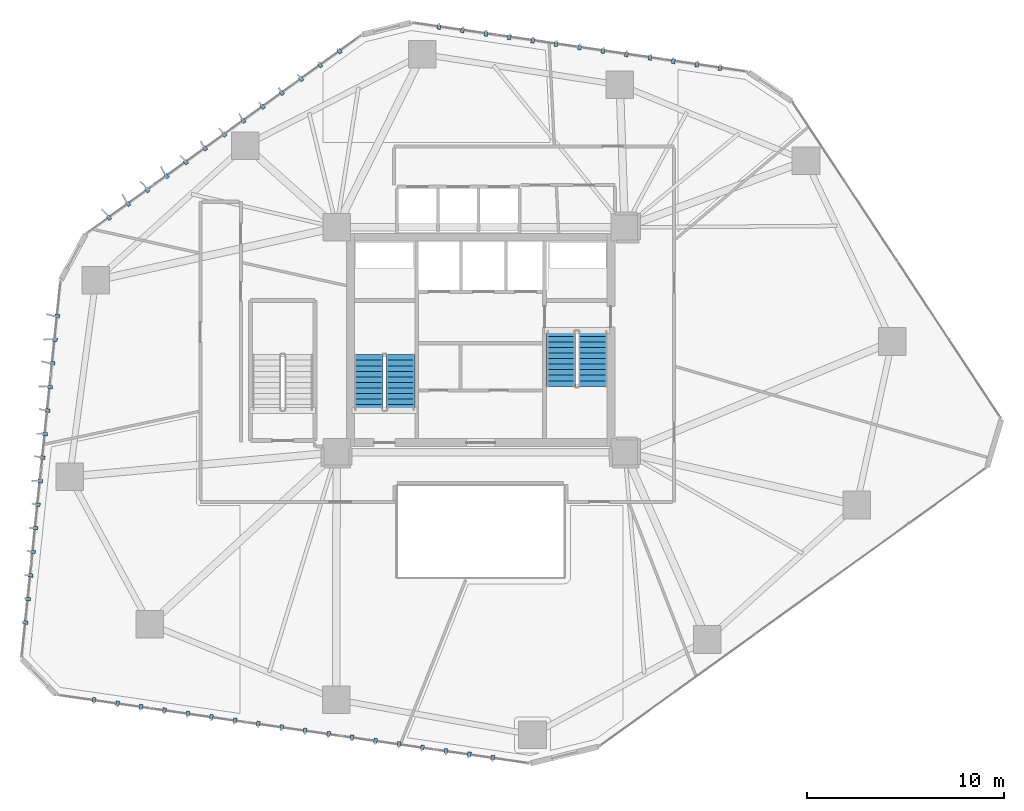
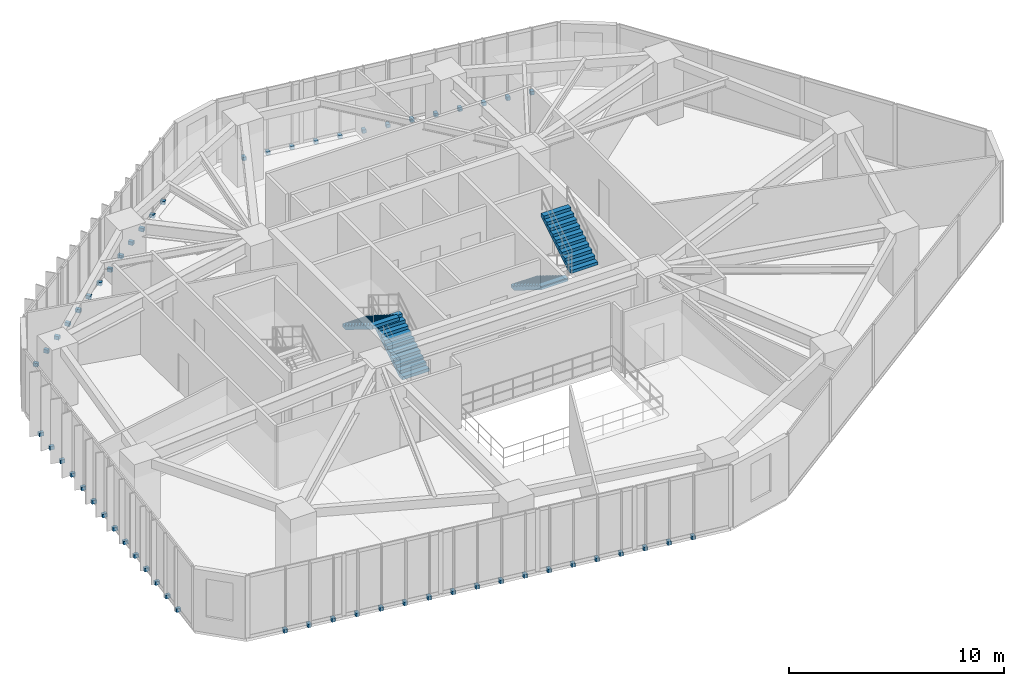
# One storey, part 20 of 22: 58 discrete accessories, 4 stair flights, 2 elements without a shape of their own.
"""IFC4 building model written with IfcOpenShell, lengths in metres."""

from ifc_helpers import new_model, si_unit, direction, frame, origin, origin_2d, place, context, subcontext, project, spatial, polyline, rectangle, outline, extrude, source, transform, mapped, material, layer, layer_set, type_object, type_shapes, element, aggregate, save


model = new_model("IFC4")

# Units and contexts
model_context = context("Model", 3, precision=1e-05, world=origin(), true_north=direction((0.0, 1.0)))
body_context = subcontext(model_context, "Body", "Model", "MODEL_VIEW")
ifc_project = project(units=[si_unit("LENGTHUNIT", "METRE"), si_unit("AREAUNIT", "SQUARE_METRE"), si_unit("VOLUMEUNIT", "CUBIC_METRE"), si_unit("PLANEANGLEUNIT", "RADIAN"), si_unit("MASSUNIT", "GRAM", prefix="KILO")], contexts=[model_context])

# Site, building, storey
site_placement = place(None, origin())
site = spatial("IfcSite", under=ifc_project, at=site_placement, CompositionType="ELEMENT")
building_placement = place(site_placement, origin())
building = spatial("IfcBuilding", under=site, at=building_placement, Name="Talar Marvaseh", CompositionType="ELEMENT")
storey_placement = place(building_placement, frame((0.0, 0.0, 65.800048828125)))
storey = spatial("IfcBuildingStorey", under=building, at=storey_placement, Name="L16", CompositionType="ELEMENT", Elevation=65.800048828125)

# Stair, stair flights
ifc_material_1 = material(Name="Concrete C40/50", Category="concrete")
stair_type = type_object("IfcStairType", Name="Reinforced Concrete Half-Turn Exit Stair Type B", PredefinedType="HALF_TURN_STAIR", material=ifc_material_1)
stair_1_placement = place(storey_placement, origin())
stair_1 = element("IfcStair", 1, at=stair_1_placement, inside=storey, type_object=stair_type, Name="L16 Tower West Core Exit Stair", PredefinedType="HALF_TURN_STAIR")
ifc_layer = layer(ifc_material_1, 0.159912109375)
ifc_layer_set = layer_set([ifc_layer], Name="Concrete C40/50")
stair_flight_type = type_object("IfcStairFlightType", Name="Reinforced Concrete Straight Stair Flight 160", PredefinedType="STRAIGHT", material=ifc_layer_set)
stair_flight_1_placement = place(storey_placement, frame((21.93505859375, 27.64990234375, 0.0), z_axis=(0.0, 0.0, 1.0), x_axis=(0.0, 1.0, 0.0)))
stair_flight_1 = element("IfcStairFlight", 2, at=stair_flight_1_placement, type_object=stair_flight_type, Name="ST-1 flight 1", NumberOfRisers=11, NumberOfTreads=10, PredefinedType="STRAIGHT", RiserHeight=0.172727273, TreadLength=0.28, context=body_context, shape_type="SweptSolid", body=[
    extrude(outline(polyline([(0.0, 0.0), (0.0, 0.172607421875), (0.280029296875, 0.172607421875), (0.280029296875, 0.345458984375), (0.56005859375, 0.345458984375), (0.56005859375, 0.51806640625), (0.840087890625, 0.51806640625), (0.840087890625, 0.69091796875), (1.1201171875, 0.69091796875), (1.1201171875, 0.863525390625), (1.39990234375, 0.863525390625), (1.39990234375, 1.036376953125), (1.679931640625, 1.036376953125), (1.679931640625, 1.208984375), (1.9599609375, 1.208984375), (1.9599609375, 1.3818359375), (2.239990234375, 1.3818359375), (2.239990234375, 1.554443359375), (2.52001953125, 1.554443359375), (2.52001953125, 1.727294921875), (2.800048828125, 1.727294921875), (2.800048828125, 1.89990234375), (2.800048828125, 1.539306640625), (0.3046875, 0.0), (0.0, 0.0)])), frame((0.0, 0.72509765625, 0.0), z_axis=(0.0, -1.0, 0.0), x_axis=(1.0, 0.0, 0.0)), (0.0, 0.0, 1.0), 1.449951171875),
])
stair_flight_2_placement = place(storey_placement, frame((20.324951171875, 30.449951171875, 1.89990234375), z_axis=(0.0, 0.0, 1.0), x_axis=(0.0, -1.0, 0.0)))
stair_flight_2 = element("IfcStairFlight", 3, at=stair_flight_2_placement, type_object=stair_flight_type, Name="ST-1 flight 2", NumberOfRisers=11, NumberOfTreads=10, PredefinedType="STRAIGHT", RiserHeight=0.172727273, TreadLength=0.28, context=body_context, shape_type="SweptSolid", body=[
    extrude(outline(polyline([(0.0, 0.0), (0.0, 0.172607421875), (0.280029296875, 0.172607421875), (0.280029296875, 0.345458984375), (0.56005859375, 0.345458984375), (0.56005859375, 0.51806640625), (0.840087890625, 0.51806640625), (0.840087890625, 0.69091796875), (1.1201171875, 0.69091796875), (1.1201171875, 0.863525390625), (1.39990234375, 0.863525390625), (1.39990234375, 1.036376953125), (1.679931640625, 1.036376953125), (1.679931640625, 1.208984375), (1.9599609375, 1.208984375), (1.9599609375, 1.3818359375), (2.239990234375, 1.3818359375), (2.239990234375, 1.554443359375), (2.52001953125, 1.554443359375), (2.52001953125, 1.727294921875), (2.800048828125, 1.727294921875), (2.800048828125, 1.89990234375), (2.800048828125, 1.539306640625), (0.3046875, 0.0), (0.0, 0.0)])), frame((0.0, 0.72509765625, 0.0), z_axis=(0.0, -1.0, 0.0), x_axis=(1.0, 0.0, 0.0)), (0.0, 0.0, 1.0), 1.449951171875),
])
aggregate(stair_1, [stair_flight_1, stair_flight_2])

stair_2_placement = place(storey_placement, origin())
stair_2 = element("IfcStair", 4, at=stair_2_placement, inside=storey, type_object=stair_type, Name="L16 Tower East Core Exit Stair", PredefinedType="HALF_TURN_STAIR")
stair_flight_3_placement = place(storey_placement, frame((30.06494140625, 31.64990234375, 0.0), z_axis=(0.0, 0.0, 1.0), x_axis=(0.0, -1.0, 0.0)))
stair_flight_3 = element("IfcStairFlight", 5, at=stair_flight_3_placement, type_object=stair_flight_type, Name="ST-2 flight 1", NumberOfRisers=11, NumberOfTreads=10, PredefinedType="STRAIGHT", RiserHeight=0.172727273, TreadLength=0.28, context=body_context, shape_type="SweptSolid", body=[
    extrude(outline(polyline([(0.0, 0.0), (0.0, 0.172607421875), (0.280029296875, 0.172607421875), (0.280029296875, 0.345458984375), (0.56005859375, 0.345458984375), (0.56005859375, 0.51806640625), (0.840087890625, 0.51806640625), (0.840087890625, 0.69091796875), (1.1201171875, 0.69091796875), (1.1201171875, 0.863525390625), (1.39990234375, 0.863525390625), (1.39990234375, 1.036376953125), (1.679931640625, 1.036376953125), (1.679931640625, 1.208984375), (1.9599609375, 1.208984375), (1.9599609375, 1.3818359375), (2.239990234375, 1.3818359375), (2.239990234375, 1.554443359375), (2.52001953125, 1.554443359375), (2.52001953125, 1.727294921875), (2.800048828125, 1.727294921875), (2.800048828125, 1.89990234375), (2.800048828125, 1.539306640625), (0.3046875, 0.0), (0.0, 0.0)])), frame((0.0, 0.72509765625, 0.0), z_axis=(0.0, -1.0, 0.0), x_axis=(1.0, 0.0, 0.0)), (0.0, 0.0, 1.0), 1.449951171875),
])
stair_flight_4_placement = place(storey_placement, frame((31.675048828125, 28.85009765625, 1.89990234375), z_axis=(0.0, 0.0, 1.0), x_axis=(0.0, 1.0, 0.0)))
stair_flight_4 = element("IfcStairFlight", 6, at=stair_flight_4_placement, type_object=stair_flight_type, Name="ST-2 flight 2", NumberOfRisers=11, NumberOfTreads=10, PredefinedType="STRAIGHT", RiserHeight=0.172727273, TreadLength=0.28, context=body_context, shape_type="SweptSolid", body=[
    extrude(outline(polyline([(0.0, 0.0), (0.0, 0.172607421875), (0.280029296875, 0.172607421875), (0.280029296875, 0.345458984375), (0.56005859375, 0.345458984375), (0.56005859375, 0.51806640625), (0.840087890625, 0.51806640625), (0.840087890625, 0.69091796875), (1.1201171875, 0.69091796875), (1.1201171875, 0.863525390625), (1.39990234375, 0.863525390625), (1.39990234375, 1.036376953125), (1.679931640625, 1.036376953125), (1.679931640625, 1.208984375), (1.9599609375, 1.208984375), (1.9599609375, 1.3818359375), (2.239990234375, 1.3818359375), (2.239990234375, 1.554443359375), (2.52001953125, 1.554443359375), (2.52001953125, 1.727294921875), (2.800048828125, 1.727294921875), (2.800048828125, 1.89990234375), (2.800048828125, 1.539306640625), (0.3046875, 0.0), (0.0, 0.0)])), frame((0.0, 0.72509765625, 0.0), z_axis=(0.0, -1.0, 0.0), x_axis=(1.0, 0.0, 0.0)), (0.0, 0.0, 1.0), 1.449951171875),
])
aggregate(stair_2, [stair_flight_3, stair_flight_4])

# Discrete accessories
ifc_material_2 = material(Name="Stainless Steel Grade 316", Category="steel")
discrete_accessory_type = type_object("IfcDiscreteAccessoryType", Name="Stainless Slab-Edge Fin Mounting Bracket", PredefinedType="BRACKET", material=ifc_material_2)
shared_shape = source(origin(), body_context, "Body", "SweptSolid", [
    extrude(rectangle(XDim=0.239990234375, YDim=0.179931640625, at=origin_2d()), origin(), (0.0, 0.0, 1.0), 0.199951171875),
])
type_shapes(discrete_accessory_type, [shared_shape])
for number, where, z_axis, x_axis, name in (
    (7, (2.951416015625, 16.88525390625, -0.18017578125), (0.0, 0.0, 1.0), (-0.994702817117, 0.102792536787, 0.0), "L16 Vertical Fin Slab-Edge Bracket"),
    (8, (3.07470703125, 18.0791015625, -0.18017578125), (0.0, 0.0, 1.0), (-0.994702817117, 0.102792536787, 0.0), "L16 Vertical Fin Slab-Edge Bracket"),
    (9, (3.1982421875, 19.272705078125, -0.18017578125), (0.0, 0.0, 1.0), (-0.994702817117, 0.102792536787, 0.0), "L16 Vertical Fin Slab-Edge Bracket"),
    (10, (3.32177734375, 20.46630859375, -0.18017578125), (0.0, 0.0, 1.0), (-0.994702817117, 0.102792536787, 0.0), "L16 Vertical Fin Slab-Edge Bracket"),
    (11, (3.445068359375, 21.659912109375, -0.18017578125), (0.0, 0.0, 1.0), (-0.994702817117, 0.102792536787, 0.0), "L16 Vertical Fin Slab-Edge Bracket"),
    (12, (3.568603515625, 22.853515625, -0.18017578125), (0.0, 0.0, 1.0), (-0.994702817117, 0.102792536787, 0.0), "L16 Vertical Fin Slab-Edge Bracket"),
    (13, (3.69189453125, 24.047119140625, -0.18017578125), (0.0, 0.0, 1.0), (-0.994702817117, 0.102792536787, 0.0), "L16 Vertical Fin Slab-Edge Bracket"),
    (14, (3.8154296875, 25.24072265625, -0.18017578125), (0.0, 0.0, 1.0), (-0.994702817117, 0.102792536787, 0.0), "L16 Vertical Fin Slab-Edge Bracket"),
    (15, (3.938720703125, 26.434326171875, -0.18017578125), (0.0, 0.0, 1.0), (-0.994702817117, 0.102792536787, 0.0), "L16 Vertical Fin Slab-Edge Bracket"),
    (16, (4.062255859375, 27.628173828125, -0.18017578125), (0.0, 0.0, 1.0), (-0.994702817117, 0.102792536787, 0.0), "L16 Vertical Fin Slab-Edge Bracket"),
    (17, (4.185791015625, 28.82177734375, -0.18017578125), (0.0, 0.0, 1.0), (-0.994702817117, 0.102792536787, 0.0), "L16 Vertical Fin Slab-Edge Bracket"),
    (18, (4.30908203125, 30.015380859375, -0.18017578125), (0.0, 0.0, 1.0), (-0.994702817117, 0.102792536787, 0.0), "L16 Vertical Fin Slab-Edge Bracket"),
    (19, (4.4326171875, 31.208984375, -0.18017578125), (0.0, 0.0, 1.0), (-0.994702817117, 0.102792536787, 0.0), "L16 Vertical Fin Slab-Edge Bracket"),
    (20, (4.555908203125, 32.402587890625, -0.18017578125), (0.0, 0.0, 1.0), (-0.994702817117, 0.102792536787, 0.0), "L16 Vertical Fin Slab-Edge Bracket"),
    (21, (7.172119140625, 37.390380859375, -0.18017578125), (0.0, 0.0, 1.0), (-0.585240754026, 0.810859580832, 0.0), "L16 Vertical Fin Slab-Edge Bracket"),
    (22, (8.14501953125, 38.092529296875, -0.18017578125), (0.0, 0.0, 1.0), (-0.585240754026, 0.810859580832, 0.0), "L16 Vertical Fin Slab-Edge Bracket"),
    (23, (9.1181640625, 38.794921875, -0.18017578125), (0.0, 0.0, 1.0), (-0.585240754026, 0.810859580832, 0.0), "L16 Vertical Fin Slab-Edge Bracket"),
    (24, (10.09130859375, 39.4970703125, -0.18017578125), (0.0, 0.0, 1.0), (-0.585240754026, 0.810859580832, 0.0), "L16 Vertical Fin Slab-Edge Bracket"),
    (25, (11.064208984375, 40.19921875, -0.18017578125), (0.0, 0.0, 1.0), (-0.585240754026, 0.810859580832, 0.0), "L16 Vertical Fin Slab-Edge Bracket"),
    (26, (12.037353515625, 40.901611328125, -0.18017578125), (0.0, 0.0, 1.0), (-0.585240754026, 0.810859580832, 0.0), "L16 Vertical Fin Slab-Edge Bracket"),
    (27, (13.010498046875, 41.603759765625, -0.18017578125), (0.0, 0.0, 1.0), (-0.585240754026, 0.810859580832, 0.0), "L16 Vertical Fin Slab-Edge Bracket"),
    (28, (13.9833984375, 42.30615234375, -0.18017578125), (0.0, 0.0, 1.0), (-0.585240754026, 0.810859580832, 0.0), "L16 Vertical Fin Slab-Edge Bracket"),
    (29, (14.95654296875, 43.00830078125, -0.18017578125), (0.0, 0.0, 1.0), (-0.585240754026, 0.810859580832, 0.0), "L16 Vertical Fin Slab-Edge Bracket"),
    (30, (15.9296875, 43.710693359375, -0.18017578125), (0.0, 0.0, 1.0), (-0.585240754026, 0.810859580832, 0.0), "L16 Vertical Fin Slab-Edge Bracket"),
    (31, (16.902587890625, 44.412841796875, -0.18017578125), (0.0, 0.0, 1.0), (-0.585240754026, 0.810859580832, 0.0), "L16 Vertical Fin Slab-Edge Bracket"),
    (32, (17.875732421875, 45.114990234375, -0.18017578125), (0.0, 0.0, 1.0), (-0.585240754026, 0.810859580832, 0.0), "L16 Vertical Fin Slab-Edge Bracket"),
    (33, (18.848876953125, 45.8173828125, -0.18017578125), (0.0, 0.0, 1.0), (-0.585240754026, 0.810859580832, 0.0), "L16 Vertical Fin Slab-Edge Bracket"),
    (34, (23.88525390625, 47.0498046875, -0.18017578125), (0.0, 0.0, 1.0), (0.14470160186, 0.989475338965, 0.0), "L16 Vertical Fin Slab-Edge Bracket"),
    (35, (25.072509765625, 46.876220703125, -0.18017578125), (0.0, 0.0, 1.0), (0.14470160186, 0.989475338965, 0.0), "L16 Vertical Fin Slab-Edge Bracket"),
    (36, (26.260009765625, 46.702392578125, -0.18017578125), (0.0, 0.0, 1.0), (0.14470160186, 0.989475338965, 0.0), "L16 Vertical Fin Slab-Edge Bracket"),
    (37, (27.447265625, 46.52880859375, -0.18017578125), (0.0, 0.0, 1.0), (0.14470160186, 0.989475338965, 0.0), "L16 Vertical Fin Slab-Edge Bracket"),
    (38, (28.634765625, 46.355224609375, -0.18017578125), (0.0, 0.0, 1.0), (0.14470160186, 0.989475338965, 0.0), "L16 Vertical Fin Slab-Edge Bracket"),
    (39, (29.822021484375, 46.181640625, -0.18017578125), (0.0, 0.0, 1.0), (0.14470160186, 0.989475338965, 0.0), "L16 Vertical Fin Slab-Edge Bracket"),
    (40, (31.009521484375, 46.008056640625, -0.18017578125), (0.0, 0.0, 1.0), (0.14470160186, 0.989475338965, 0.0), "L16 Vertical Fin Slab-Edge Bracket"),
    (41, (32.19677734375, 45.83447265625, -0.18017578125), (0.0, 0.0, 1.0), (0.14470160186, 0.989475338965, 0.0), "L16 Vertical Fin Slab-Edge Bracket"),
    (42, (33.38427734375, 45.660888671875, -0.18017578125), (0.0, 0.0, 1.0), (0.14470160186, 0.989475338965, 0.0), "L16 Vertical Fin Slab-Edge Bracket"),
    (43, (34.571533203125, 45.4873046875, -0.18017578125), (0.0, 0.0, 1.0), (0.14470160186, 0.989475338965, 0.0), "L16 Vertical Fin Slab-Edge Bracket"),
    (44, (35.7587890625, 45.313720703125, -0.18017578125), (0.0, 0.0, 1.0), (0.14470160186, 0.989475338965, 0.0), "L16 Vertical Fin Slab-Edge Bracket"),
    (45, (36.9462890625, 45.14013671875, -0.18017578125), (0.0, 0.0, 1.0), (0.14470160186, 0.989475338965, 0.0), "L16 Vertical Fin Slab-Edge Bracket"),
    (46, (38.1337890625, 44.966552734375, -0.18017578125), (0.0, 0.0, 1.0), (0.14470160186, 0.989475338965, 0.0), "L16 Vertical Fin Slab-Edge Bracket"),
    (47, (26.61083984375, 10.0380859375, -0.18017578125), (0.0, 0.0, 1.0), (-0.143319893055, -0.989676415933, 0.0), "L16 Vertical Fin Slab-Edge Bracket"),
    (48, (25.423095703125, 10.210205078125, -0.18017578125), (0.0, 0.0, 1.0), (-0.143319893055, -0.989676415933, 0.0), "L16 Vertical Fin Slab-Edge Bracket"),
    (49, (24.235595703125, 10.382080078125, -0.18017578125), (0.0, 0.0, 1.0), (-0.143319893055, -0.989676415933, 0.0), "L16 Vertical Fin Slab-Edge Bracket"),
    (50, (23.048095703125, 10.55419921875, -0.18017578125), (0.0, 0.0, 1.0), (-0.143319893055, -0.989676415933, 0.0), "L16 Vertical Fin Slab-Edge Bracket"),
    (51, (21.8603515625, 10.726318359375, -0.18017578125), (0.0, 0.0, 1.0), (-0.143319893055, -0.989676415933, 0.0), "L16 Vertical Fin Slab-Edge Bracket"),
    (52, (20.672607421875, 10.898193359375, -0.18017578125), (0.0, 0.0, 1.0), (-0.143319893055, -0.989676415933, 0.0), "L16 Vertical Fin Slab-Edge Bracket"),
    (53, (19.485107421875, 11.0703125, -0.18017578125), (0.0, 0.0, 1.0), (-0.143319893055, -0.989676415933, 0.0), "L16 Vertical Fin Slab-Edge Bracket"),
    (54, (18.297607421875, 11.2421875, -0.18017578125), (0.0, 0.0, 1.0), (-0.143319893055, -0.989676415933, 0.0), "L16 Vertical Fin Slab-Edge Bracket"),
    (55, (17.10986328125, 11.414306640625, -0.18017578125), (0.0, 0.0, 1.0), (-0.143319893055, -0.989676415933, 0.0), "L16 Vertical Fin Slab-Edge Bracket"),
    (56, (15.92236328125, 11.586181640625, -0.18017578125), (0.0, 0.0, 1.0), (-0.143319893055, -0.989676415933, 0.0), "L16 Vertical Fin Slab-Edge Bracket"),
    (57, (14.734619140625, 11.75830078125, -0.18017578125), (0.0, 0.0, 1.0), (-0.143319893055, -0.989676415933, 0.0), "L16 Vertical Fin Slab-Edge Bracket"),
    (58, (13.547119140625, 11.93017578125, -0.18017578125), (0.0, 0.0, 1.0), (-0.143319893055, -0.989676415933, 0.0), "L16 Vertical Fin Slab-Edge Bracket"),
    (59, (12.359619140625, 12.102294921875, -0.18017578125), (0.0, 0.0, 1.0), (-0.143319893055, -0.989676415933, 0.0), "L16 Vertical Fin Slab-Edge Bracket"),
    (60, (11.171875, 12.274169921875, -0.18017578125), (0.0, 0.0, 1.0), (-0.143319893055, -0.989676415933, 0.0), "L16 Vertical Fin Slab-Edge Bracket"),
    (61, (9.984375, 12.4462890625, -0.18017578125), (0.0, 0.0, 1.0), (-0.143319893055, -0.989676415933, 0.0), "L16 Vertical Fin Slab-Edge Bracket"),
    (62, (8.796630859375, 12.6181640625, -0.18017578125), (0.0, 0.0, 1.0), (-0.143319893055, -0.989676415933, 0.0), "L16 Vertical Fin Slab-Edge Bracket"),
    (63, (7.609130859375, 12.790283203125, -0.18017578125), (0.0, 0.0, 1.0), (-0.143319893055, -0.989676415933, 0.0), "L16 Vertical Fin Slab-Edge Bracket"),
    (64, (6.42138671875, 12.96240234375, -0.18017578125), (0.0, 0.0, 1.0), (-0.143319893055, -0.989676415933, 0.0), "L16 Vertical Fin Slab-Edge Bracket"),
):
    element("IfcDiscreteAccessory", number, at=place(storey_placement, frame(where, z_axis=z_axis, x_axis=x_axis)), inside=storey, type_object=discrete_accessory_type, Name=name, PredefinedType="BRACKET", context=body_context, shape_type="MappedRepresentation", body=[
        mapped(shared_shape, transform((0.0, 0.0, 0.0), x_axis=(1.0, 0.0, 0.0), y_axis=(0.0, 1.0, 0.0), z_axis=(0.0, 0.0, 1.0), scale=1.0)),
    ])

save(model, "model.ifc")
